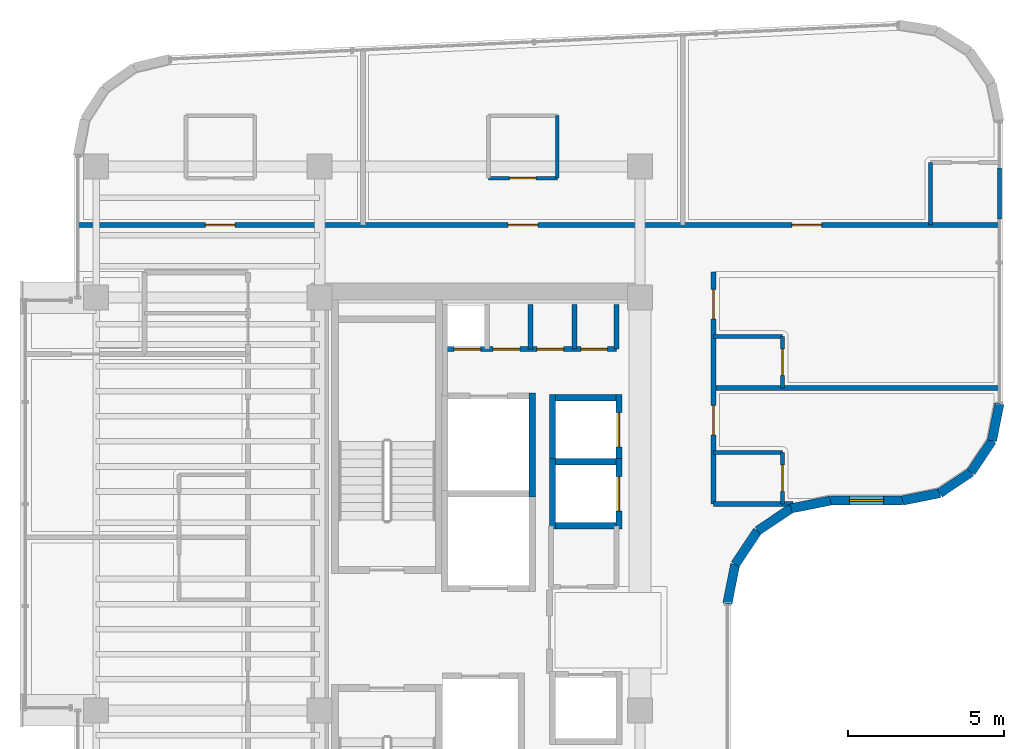
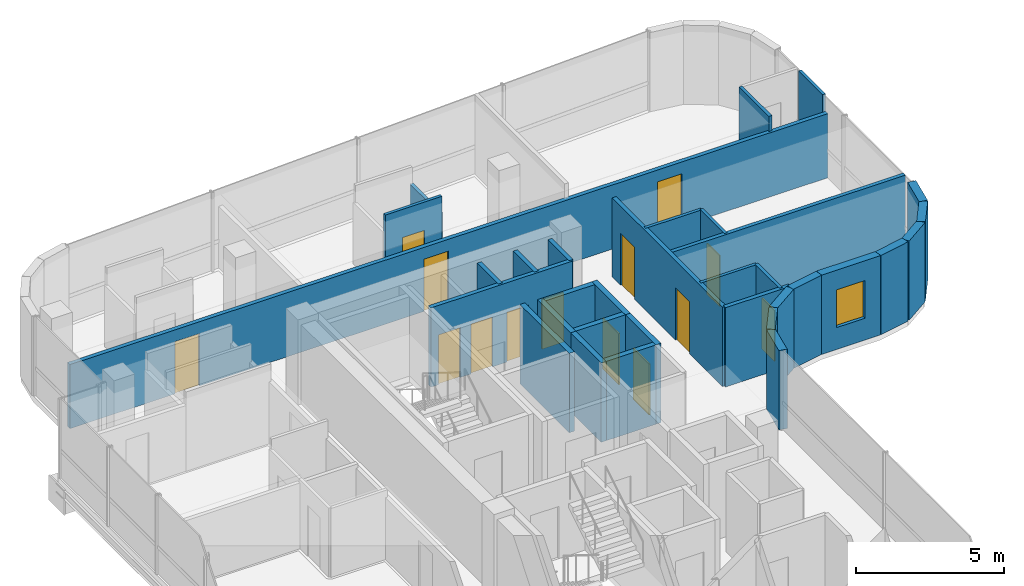
# One storey, part 16 of 20: 33 walls, 14 doors, 1 window, 15 openings.
"""IFC4 building model written with IfcOpenShell, lengths in metres."""

from ifc_helpers import new_model, si_unit, direction, frame, frame_2d, origin, place, context, subcontext, project, spatial, rectangle, extrude, material, layer, layer_set, type_object, element, fill, save


model = new_model("IFC4")

# Units and contexts
model_context = context("Model", 3, precision=1e-05, world=origin(), true_north=direction((0.0, 1.0)))
body_context = subcontext(model_context, "Body", "Model", "MODEL_VIEW")
ifc_project = project(units=[si_unit("LENGTHUNIT", "METRE"), si_unit("AREAUNIT", "SQUARE_METRE"), si_unit("VOLUMEUNIT", "CUBIC_METRE"), si_unit("PLANEANGLEUNIT", "RADIAN"), si_unit("MASSUNIT", "GRAM", prefix="KILO")], contexts=[model_context])

# Site, building, storey
site_placement = place(None, origin())
site = spatial("IfcSite", under=ifc_project, at=site_placement, CompositionType="ELEMENT")
building_placement = place(site_placement, origin())
building = spatial("IfcBuilding", under=site, at=building_placement, Name="Valdorenza Pilgrim Sanctuary Tower", CompositionType="ELEMENT")
storey_placement = place(building_placement, frame((0.0, 0.0, 244.0)))
storey = spatial("IfcBuildingStorey", under=building, at=storey_placement, Name="L63", CompositionType="ELEMENT", Elevation=244.0)

# Wall, openings, doors
ifc_material_1 = material(Name="Acoustic twin-stud gypsum partition", Category="gypsum")
ifc_layer_1 = layer(ifc_material_1, 0.159912109375, Name="Acoustic twin-stud gypsum partition")
ifc_layer_set_1 = layer_set([ifc_layer_1], Name="Acoustic twin-stud gypsum partition")
wall_type_1 = type_object("IfcWallType", Name="WAL-COR-160", PredefinedType="PARTITIONING", material=ifc_layer_set_1)
wall_1_placement = place(storey_placement, frame((-18.64990234375, 8.949951171875, 0.0), z_axis=(0.0, 0.0, 1.0), x_axis=(1.0, 0.0, 0.0)))
wall_1 = element("IfcWall", 1, at=wall_1_placement, inside=storey, type_object=wall_type_1, Name="L63 Core A North Service South Wall", PredefinedType="PARTITIONING", context=body_context, shape_type="SweptSolid", body=[
    extrude(rectangle(XDim=5.5, YDim=0.159912109375, at=frame_2d((2.75, 0.0))), origin(), (0.0, 0.0, 1.0), 3.260009765625),
])
opening_1_placement = place(wall_1_placement, frame((0.300048828125, 0.0, 0.0)))
opening_1 = element("IfcOpeningElement", 2, at=opening_1_placement, cuts=wall_1, Name="Opening DR-RS1", PredefinedType="OPENING", context=body_context, shape_type="SweptSolid", body=[
    extrude(rectangle(XDim=0.85009765625, YDim=2.050048828125, at=frame_2d((0.425048828125, 1.02490234375))), frame((0.0, 0.0947265625, 0.0), z_axis=(0.0, -1.0, 0.0), x_axis=(1.0, 0.0, 0.0)), (0.0, 0.0, 1.0), 0.189697265625),
])
opening_2_placement = place(wall_1_placement, frame((1.550048828125, 0.0, 0.0)))
opening_2 = element("IfcOpeningElement", 3, at=opening_2_placement, cuts=wall_1, Name="Opening DR-RS1", PredefinedType="OPENING", context=body_context, shape_type="SweptSolid", body=[
    extrude(rectangle(XDim=0.85009765625, YDim=2.050048828125, at=frame_2d((0.425048828125, 1.02490234375))), frame((0.0, 0.0947265625, 0.0), z_axis=(0.0, -1.0, 0.0), x_axis=(1.0, 0.0, 0.0)), (0.0, 0.0, 1.0), 0.189697265625),
])
opening_3_placement = place(wall_1_placement, frame((2.949951171875, 0.0, 0.0)))
opening_3 = element("IfcOpeningElement", 4, at=opening_3_placement, cuts=wall_1, Name="Opening DR-RS1", PredefinedType="OPENING", context=body_context, shape_type="SweptSolid", body=[
    extrude(rectangle(XDim=0.85009765625, YDim=2.050048828125, at=frame_2d((0.425048828125, 1.02490234375))), frame((0.0, 0.0947265625, 0.0), z_axis=(0.0, -1.0, 0.0), x_axis=(1.0, 0.0, 0.0)), (0.0, 0.0, 1.0), 0.189697265625),
])
opening_4_placement = place(wall_1_placement, frame((4.35009765625, 0.0, 0.0)))
opening_4 = element("IfcOpeningElement", 5, at=opening_4_placement, cuts=wall_1, Name="Opening DR-RS1", PredefinedType="OPENING", context=body_context, shape_type="SweptSolid", body=[
    extrude(rectangle(XDim=0.85009765625, YDim=2.050048828125, at=frame_2d((0.425048828125, 1.02490234375))), frame((0.0, 0.0947265625, 0.0), z_axis=(0.0, -1.0, 0.0), x_axis=(1.0, 0.0, 0.0)), (0.0, 0.0, 1.0), 0.189697265625),
])
ifc_material_2 = material(Name="Painted galvanized steel", Category="steel")
door_type_1 = type_object("IfcDoorType", Name="DR-RSR-850", OperationType="NOTDEFINED", PredefinedType="DOOR", material=ifc_material_2)
door_1_placement = place(opening_1_placement, origin())
door_1 = element("IfcDoor", 6, at=door_1_placement, inside=storey, type_object=door_type_1, Name="L63 Core Electrical and Telecom Riser Door", OperationType="SINGLE_SWING_LEFT", OverallHeight=2.050048828125, OverallWidth=0.85009765625, PredefinedType="DOOR", context=body_context, shape_type="SweptSolid", body=[
    extrude(rectangle(XDim=0.85009765625, YDim=2.050048828125, at=frame_2d((0.425048828125, 1.02490234375))), frame((0.0, 0.02490234375, 0.0), z_axis=(0.0, -1.0, 0.0), x_axis=(1.0, 0.0, 0.0)), (0.0, 0.0, 1.0), 0.050048828125),
])
fill(opening_1, door_1)
door_2_placement = place(opening_2_placement, origin())
door_2 = element("IfcDoor", 7, at=door_2_placement, inside=storey, type_object=door_type_1, Name="L63 Housekeeping and Clean Linen Room Door", OperationType="SINGLE_SWING_RIGHT", OverallHeight=2.050048828125, OverallWidth=0.85009765625, PredefinedType="DOOR", context=body_context, shape_type="SweptSolid", body=[
    extrude(rectangle(XDim=0.85009765625, YDim=2.050048828125, at=frame_2d((0.425048828125, 1.02490234375))), frame((0.0, 0.02490234375, 0.0), z_axis=(0.0, -1.0, 0.0), x_axis=(1.0, 0.0, 0.0)), (0.0, 0.0, 1.0), 0.050048828125),
])
fill(opening_2, door_2)
door_3_placement = place(opening_3_placement, origin())
door_3 = element("IfcDoor", 8, at=door_3_placement, inside=storey, type_object=door_type_1, Name="L63 Core IT Server Closet Door", OperationType="SINGLE_SWING_LEFT", OverallHeight=2.050048828125, OverallWidth=0.85009765625, PredefinedType="DOOR", context=body_context, shape_type="SweptSolid", body=[
    extrude(rectangle(XDim=0.85009765625, YDim=2.050048828125, at=frame_2d((0.425048828125, 1.02490234375))), frame((0.0, 0.02490234375, 0.0), z_axis=(0.0, -1.0, 0.0), x_axis=(1.0, 0.0, 0.0)), (0.0, 0.0, 1.0), 0.050048828125),
])
fill(opening_3, door_3)
door_4_placement = place(opening_4_placement, origin())
door_4 = element("IfcDoor", 9, at=door_4_placement, inside=storey, type_object=door_type_1, Name="L63 Core Staff Washroom Door", OperationType="SINGLE_SWING_RIGHT", OverallHeight=2.050048828125, OverallWidth=0.85009765625, PredefinedType="DOOR", context=body_context, shape_type="SweptSolid", body=[
    extrude(rectangle(XDim=0.85009765625, YDim=2.050048828125, at=frame_2d((0.425048828125, 1.02490234375))), frame((0.0, 0.02490234375, 0.0), z_axis=(0.0, -1.0, 0.0), x_axis=(1.0, 0.0, 0.0)), (0.0, 0.0, 1.0), 0.050048828125),
])
fill(opening_4, door_4)

# Walls
for number, where, z_axis, x_axis, name in (
    (10, (-13.14990234375, 8.949951171875, 0.0), (0.0, 0.0, 1.0), (0.0, 1.0, 0.0), "L63 Core A North Service East Wall"),
    (11, (-15.89990234375, 8.949951171875, 0.0), (0.0, 0.0, 1.0), (0.0, 1.0, 0.0), "L63 Core A Split D1"),
    (12, (-14.5, 8.949951171875, 0.0), (0.0, 0.0, 1.0), (0.0, 1.0, 0.0), "L63 Core A Split D2"),
):
    element("IfcWall", number, at=place(storey_placement, frame(where, z_axis=z_axis, x_axis=x_axis)), inside=storey, type_object=wall_type_1, Name=name, PredefinedType="PARTITIONING", context=body_context, shape_type="SweptSolid", body=[
        extrude(rectangle(XDim=1.429931640625, YDim=0.159912109375, at=frame_2d((0.71484375, 0.0))), origin(), (0.0, 0.0, 1.0), 3.260009765625),
    ])

# Wall, openings, doors
wall_2_placement = place(storey_placement, frame((-30.389892578125, 12.919921875, 0.0), z_axis=(0.0, 0.0, 1.0), x_axis=(1.0, 0.0, 0.0)))
wall_2 = element("IfcWall", 13, at=wall_2_placement, inside=storey, type_object=wall_type_1, Name="L63 North Corridor Wall", PredefinedType="PARTITIONING", context=body_context, shape_type="SweptSolid", body=[
    extrude(rectangle(XDim=29.47998046875, YDim=0.159912109375, at=frame_2d((14.739990234375, 0.0))), origin(), (0.0, 0.0, 1.0), 2.634033203125),
])
opening_5_placement = place(wall_2_placement, frame((4.0869140625, 0.0, 0.0)))
opening_5 = element("IfcOpeningElement", 14, at=opening_5_placement, cuts=wall_2, Name="Opening DR-UN1", PredefinedType="OPENING", context=body_context, shape_type="SweptSolid", body=[
    extrude(rectangle(XDim=0.949951171875, YDim=2.14990234375, at=frame_2d((0.47509765625, 1.074951171875))), frame((0.0, 0.0947265625, 0.0), z_axis=(0.0, -1.0, 0.0), x_axis=(1.0, 0.0, 0.0)), (0.0, 0.0, 1.0), 0.189697265625),
])
opening_6_placement = place(wall_2_placement, frame((13.764892578125, 0.0, 0.0)))
opening_6 = element("IfcOpeningElement", 15, at=opening_6_placement, cuts=wall_2, Name="Opening DR-UN1", PredefinedType="OPENING", context=body_context, shape_type="SweptSolid", body=[
    extrude(rectangle(XDim=0.949951171875, YDim=2.14990234375, at=frame_2d((0.47509765625, 1.074951171875))), frame((0.0, 0.0947265625, 0.0), z_axis=(0.0, -1.0, 0.0), x_axis=(1.0, 0.0, 0.0)), (0.0, 0.0, 1.0), 0.189697265625),
])
opening_7_placement = place(wall_2_placement, frame((22.843017578125, 0.0, 0.0)))
opening_7 = element("IfcOpeningElement", 16, at=opening_7_placement, cuts=wall_2, Name="Opening DR-UN1", PredefinedType="OPENING", context=body_context, shape_type="SweptSolid", body=[
    extrude(rectangle(XDim=0.949951171875, YDim=2.14990234375, at=frame_2d((0.47509765625, 1.074951171875))), frame((0.0, 0.0947265625, 0.0), z_axis=(0.0, -1.0, 0.0), x_axis=(1.0, 0.0, 0.0)), (0.0, 0.0, 1.0), 0.189697265625),
])
ifc_material_3 = material(Name="Solid-core European oak timber", Category="wood")
door_type_2 = type_object("IfcDoorType", Name="DR-UNIT-950", OperationType="NOTDEFINED", PredefinedType="DOOR", material=ifc_material_3)
door_5_placement = place(opening_5_placement, frame((0.949951171875, 0.0, 0.0), z_axis=(0.0, 0.0, 1.0), x_axis=(-1.0, 0.0, 0.0)))
door_5 = element("IfcDoor", 17, at=door_5_placement, inside=storey, type_object=door_type_2, Name="L63 North Guest Room L63-N1 Entrance Door", OperationType="SINGLE_SWING_LEFT", OverallHeight=2.14990234375, OverallWidth=0.949951171875, PredefinedType="DOOR", context=body_context, shape_type="SweptSolid", body=[
    extrude(rectangle(XDim=0.949951171875, YDim=2.14990234375, at=frame_2d((0.47509765625, 1.074951171875))), frame((0.0, 0.02490234375, 0.0), z_axis=(0.0, -1.0, 0.0), x_axis=(1.0, 0.0, 0.0)), (0.0, 0.0, 1.0), 0.050048828125),
])
fill(opening_5, door_5)
door_6_placement = place(opening_6_placement, frame((0.949951171875, 0.0, 0.0), z_axis=(0.0, 0.0, 1.0), x_axis=(-1.0, 0.0, 0.0)))
door_6 = element("IfcDoor", 18, at=door_6_placement, inside=storey, type_object=door_type_2, Name="L63 North Guest Room L63-N2 Entrance Door", OperationType="SINGLE_SWING_LEFT", OverallHeight=2.14990234375, OverallWidth=0.949951171875, PredefinedType="DOOR", context=body_context, shape_type="SweptSolid", body=[
    extrude(rectangle(XDim=0.949951171875, YDim=2.14990234375, at=frame_2d((0.47509765625, 1.074951171875))), frame((0.0, 0.02490234375, 0.0), z_axis=(0.0, -1.0, 0.0), x_axis=(1.0, 0.0, 0.0)), (0.0, 0.0, 1.0), 0.050048828125),
])
fill(opening_6, door_6)
door_7_placement = place(opening_7_placement, frame((0.949951171875, 0.0, 0.0), z_axis=(0.0, 0.0, 1.0), x_axis=(-1.0, 0.0, 0.0)))
door_7 = element("IfcDoor", 19, at=door_7_placement, inside=storey, type_object=door_type_2, Name="L63 North Guest Room L63-N3 Entrance Door", OperationType="SINGLE_SWING_LEFT", OverallHeight=2.14990234375, OverallWidth=0.949951171875, PredefinedType="DOOR", context=body_context, shape_type="SweptSolid", body=[
    extrude(rectangle(XDim=0.949951171875, YDim=2.14990234375, at=frame_2d((0.47509765625, 1.074951171875))), frame((0.0, 0.02490234375, 0.0), z_axis=(0.0, -1.0, 0.0), x_axis=(1.0, 0.0, 0.0)), (0.0, 0.0, 1.0), 0.050048828125),
])
fill(opening_7, door_7)

wall_3_placement = place(storey_placement, frame((-10.050048828125, 4.0, 0.0), z_axis=(0.0, 0.0, 1.0), x_axis=(0.0, 1.0, 0.0)))
wall_3 = element("IfcWall", 20, at=wall_3_placement, inside=storey, type_object=wall_type_1, Name="L63 East Stub Corridor Wall", PredefinedType="PARTITIONING", context=body_context, shape_type="SweptSolid", body=[
    extrude(rectangle(XDim=7.419921875, YDim=0.159912109375, at=frame_2d((3.7099609375, 0.0))), origin(), (0.0, 0.0, 1.0), 3.260009765625),
])
opening_8_placement = place(wall_3_placement, frame((2.205078125, 0.0, 0.0)))
opening_8 = element("IfcOpeningElement", 21, at=opening_8_placement, cuts=wall_3, Name="Opening DR-UN1", PredefinedType="OPENING", context=body_context, shape_type="SweptSolid", body=[
    extrude(rectangle(XDim=0.949951171875, YDim=2.14990234375, at=frame_2d((0.47509765625, 1.074951171875))), frame((0.0, 0.0947265625, 0.0), z_axis=(0.0, -1.0, 0.0), x_axis=(1.0, 0.0, 0.0)), (0.0, 0.0, 1.0), 0.189697265625),
])
opening_9_placement = place(wall_3_placement, frame((5.9150390625, 0.0, 0.0)))
opening_9 = element("IfcOpeningElement", 22, at=opening_9_placement, cuts=wall_3, Name="Opening DR-UN1", PredefinedType="OPENING", context=body_context, shape_type="SweptSolid", body=[
    extrude(rectangle(XDim=0.949951171875, YDim=2.14990234375, at=frame_2d((0.47509765625, 1.074951171875))), frame((0.0, 0.0947265625, 0.0), z_axis=(0.0, -1.0, 0.0), x_axis=(1.0, 0.0, 0.0)), (0.0, 0.0, 1.0), 0.189697265625),
])
door_8_placement = place(opening_8_placement, frame((0.949951171875, 0.0, 0.0), z_axis=(0.0, 0.0, 1.0), x_axis=(-1.0, 0.0, 0.0)))
door_8 = element("IfcDoor", 23, at=door_8_placement, inside=storey, type_object=door_type_2, Name="L63 East Sanctuary Guest Room L63-E1 Entrance Door", OperationType="SINGLE_SWING_LEFT", OverallHeight=2.14990234375, OverallWidth=0.949951171875, PredefinedType="DOOR", context=body_context, shape_type="SweptSolid", body=[
    extrude(rectangle(XDim=0.949951171875, YDim=2.14990234375, at=frame_2d((0.47509765625, 1.074951171875))), frame((0.0, 0.02490234375, 0.0), z_axis=(0.0, -1.0, 0.0), x_axis=(1.0, 0.0, 0.0)), (0.0, 0.0, 1.0), 0.050048828125),
])
fill(opening_8, door_8)
door_9_placement = place(opening_9_placement, frame((0.949951171875, 0.0, 0.0), z_axis=(0.0, 0.0, 1.0), x_axis=(-1.0, 0.0, 0.0)))
door_9 = element("IfcDoor", 24, at=door_9_placement, inside=storey, type_object=door_type_2, Name="L63 East Sanctuary Guest Room L63-E2 Entrance Door", OperationType="SINGLE_SWING_LEFT", OverallHeight=2.14990234375, OverallWidth=0.949951171875, PredefinedType="DOOR", context=body_context, shape_type="SweptSolid", body=[
    extrude(rectangle(XDim=0.949951171875, YDim=2.14990234375, at=frame_2d((0.47509765625, 1.074951171875))), frame((0.0, 0.02490234375, 0.0), z_axis=(0.0, -1.0, 0.0), x_axis=(1.0, 0.0, 0.0)), (0.0, 0.0, 1.0), 0.050048828125),
])
fill(opening_9, door_9)

# Walls
wall_4_placement = place(storey_placement, frame((-10.050048828125, 4.0, 0.0), z_axis=(0.0, 0.0, 1.0), x_axis=(1.0, 0.0, 0.0)))
element("IfcWall", 25, at=wall_4_placement, inside=storey, type_object=wall_type_1, Name="L63 East Stub South Wall", PredefinedType="PARTITIONING", context=body_context, shape_type="SweptSolid", body=[
    extrude(rectangle(XDim=2.545654296875, YDim=0.159912109375, at=frame_2d((1.27294921875, 0.0))), origin(), (0.0, 0.0, 1.0), 3.260009765625),
])
ifc_material_4 = material(Name="Honed travertine limestone", Category="masonry")
ifc_layer_2 = layer(ifc_material_4, 0.300048828125, Name="Honed travertine limestone")
ifc_layer_set_2 = layer_set([ifc_layer_2], Name="Honed travertine limestone")
wall_type_2 = type_object("IfcWallType", Name="WAL-EXT-300", PredefinedType="SOLIDWALL", material=ifc_layer_set_2)
wall_5_placement = place(storey_placement, frame((-0.909912109375, 7.210693359375, 0.0), z_axis=(0.0, 0.0, 1.0), x_axis=(-0.195189223115, -0.980765602568, 0.0)))
element("IfcWall", 26, at=wall_5_placement, inside=storey, type_object=wall_type_2, Name="L63 Rounded Wind-Corner Stone Pier 12", PredefinedType="SOLIDWALL", context=body_context, shape_type="SweptSolid", body=[
    extrude(rectangle(XDim=1.2158203125, YDim=0.300048828125, at=frame_2d((0.60791015625, 0.0))), origin(), (0.0, 0.0, 1.0), 3.260009765625),
])
for number, where, z_axis, x_axis, name in (
    (27, (-1.147216796875, 6.018310546875, 0.0), (0.0, 0.0, 1.0), (-0.555635100982, -0.831426265255, 0.0), "L63 Rounded Wind-Corner Stone Pier 13"),
    (28, (-1.816650390625, 5.0166015625, 0.0), (0.0, 0.0, 1.0), (-0.831426265255, -0.555635100982, 0.0), "L63 Rounded Wind-Corner Stone Pier 14"),
):
    element("IfcWall", number, at=place(storey_placement, frame(where, z_axis=z_axis, x_axis=x_axis)), inside=storey, type_object=wall_type_2, Name=name, PredefinedType="SOLIDWALL", context=body_context, shape_type="SweptSolid", body=[
        extrude(rectangle(XDim=1.204833984375, YDim=0.300048828125, at=frame_2d((0.6025390625, 0.0))), origin(), (0.0, 0.0, 1.0), 3.260009765625),
    ])
wall_6_placement = place(storey_placement, frame((-2.818359375, 4.34716796875, 0.0), z_axis=(0.0, 0.0, 1.0), x_axis=(-0.980804027463, -0.194996050505, 0.0)))
element("IfcWall", 29, at=wall_6_placement, inside=storey, type_object=wall_type_2, Name="L63 Rounded Wind-Corner Stone Pier 15", PredefinedType="SOLIDWALL", context=body_context, shape_type="SweptSolid", body=[
    extrude(rectangle(XDim=1.2158203125, YDim=0.300048828125, at=frame_2d((0.60791015625, 0.0))), origin(), (0.0, 0.0, 1.0), 3.260009765625),
])

# Wall, opening, window
wall_7_placement = place(storey_placement, frame((-4.0107421875, 4.110107421875, 0.0), z_axis=(0.0, 0.0, 1.0), x_axis=(-1.0, 0.0, 0.0)))
wall_7 = element("IfcWall", 30, at=wall_7_placement, inside=storey, type_object=wall_type_2, Name="L63 Rounded Wind-Corner Stone Pier 16", PredefinedType="SOLIDWALL", context=body_context, shape_type="SweptSolid", body=[
    extrude(rectangle(XDim=2.300048828125, YDim=0.300048828125, at=frame_2d((1.14990234375, 0.0))), origin(), (0.0, 0.0, 1.0), 3.260009765625),
])
opening_10_placement = place(wall_7_placement, frame((0.60009765625, 0.0, 0.89990234375)))
opening_10 = element("IfcOpeningElement", 31, at=opening_10_placement, cuts=wall_7, Name="Opening WN-CR1", PredefinedType="OPENING", context=body_context, shape_type="SweptSolid", body=[
    extrude(rectangle(XDim=1.10009765625, YDim=1.550048828125, at=frame_2d((0.550048828125, 0.77490234375))), frame((0.0, 0.1650390625, 0.0), z_axis=(0.0, -1.0, 0.0), x_axis=(1.0, 0.0, 0.0)), (0.0, 0.0, 1.0), 0.329833984375),
])
ifc_material_5 = material(Name="Ceramic-fritted low-E IGU glazing", Category="glass")
window_type = type_object("IfcWindowType", Name="WIN-CRN-1200", PartitioningType="SINGLE_PANEL", PredefinedType="WINDOW", material=ifc_material_5)
window_placement = place(opening_10_placement, origin())
window = element("IfcWindow", 32, at=window_placement, inside=storey, type_object=window_type, Name="L63 Rounded Corner Slot Window 16", OverallHeight=1.550048828125, OverallWidth=1.10009765625, PartitioningType="SINGLE_PANEL", PredefinedType="WINDOW", context=body_context, shape_type="SweptSolid", body=[
    extrude(rectangle(XDim=1.10009765625, YDim=1.550048828125, at=frame_2d((0.550048828125, 0.77490234375))), frame((0.0, 0.030029296875, 0.0), z_axis=(0.0, -1.0, 0.0), x_axis=(1.0, 0.0, 0.0)), (0.0, 0.0, 1.0), 0.06005859375),
])
fill(opening_10, window)

# Walls
wall_8_placement = place(storey_placement, frame((-6.310791015625, 4.110107421875, 0.0), z_axis=(0.0, 0.0, 1.0), x_axis=(-0.980778058848, -0.195126623715, 0.0)))
element("IfcWall", 33, at=wall_8_placement, inside=storey, type_object=wall_type_2, Name="L63 Rounded Wind-Corner Stone Pier 17", PredefinedType="SOLIDWALL", context=body_context, shape_type="SweptSolid", body=[
    extrude(rectangle(XDim=1.28125, YDim=0.300048828125, at=frame_2d((0.640625, 0.0))), origin(), (0.0, 0.0, 1.0), 3.260009765625),
])
for number, where, z_axis, x_axis, name in (
    (34, (-7.5673828125, 3.860107421875, 0.0), (0.0, 0.0, 1.0), (-0.831497739511, -0.555528135371, 0.0), "L63 Rounded Wind-Corner Stone Pier 18"),
    (35, (-8.64208984375, 3.14208984375, 0.0), (0.0, 0.0, 1.0), (-0.555528135371, -0.831497739511, 0.0), "L63 Rounded Wind-Corner Stone Pier 19"),
):
    element("IfcWall", number, at=place(storey_placement, frame(where, z_axis=z_axis, x_axis=x_axis)), inside=storey, type_object=wall_type_2, Name=name, PredefinedType="SOLIDWALL", context=body_context, shape_type="SweptSolid", body=[
        extrude(rectangle(XDim=1.29248046875, YDim=0.300048828125, at=frame_2d((0.646240234375, 0.0))), origin(), (0.0, 0.0, 1.0), 3.260009765625),
    ])
wall_9_placement = place(storey_placement, frame((-9.360107421875, 2.0673828125, 0.0), z_axis=(0.0, 0.0, 1.0), x_axis=(-0.195126623715, -0.980778058848, 0.0)))
element("IfcWall", 36, at=wall_9_placement, inside=storey, type_object=wall_type_2, Name="L63 Rounded Wind-Corner Stone Pier 20", PredefinedType="SOLIDWALL", context=body_context, shape_type="SweptSolid", body=[
    extrude(rectangle(XDim=1.28125, YDim=0.300048828125, at=frame_2d((0.640625, 0.0))), origin(), (0.0, 0.0, 1.0), 3.260009765625),
])
ifc_material_6 = material(Name="Moisture-resistant gypsum partition", Category="gypsum")
ifc_layer_3 = layer(ifc_material_6, 0.1201171875, Name="Moisture-resistant gypsum partition")
ifc_layer_set_3 = layer_set([ifc_layer_3], Name="Moisture-resistant gypsum partition")
wall_type_3 = type_object("IfcWallType", Name="WAL-INT-120", PredefinedType="PARTITIONING", material=ifc_layer_set_3)
wall_10_placement = place(storey_placement, frame((-15.050048828125, 14.419921875, 0.0), z_axis=(0.0, 0.0, 1.0), x_axis=(0.0, 1.0, 0.0)))
element("IfcWall", 37, at=wall_10_placement, inside=storey, type_object=wall_type_3, Name="L63 North Guest Room L63-N2 En-suite East Wall", PredefinedType="PARTITIONING", context=body_context, shape_type="SweptSolid", body=[
    extrude(rectangle(XDim=2.0, YDim=0.1201171875, at=frame_2d((1.0, 0.0))), origin(), (0.0, 0.0, 1.0), 2.5439453125),
])

# Wall, opening, door
wall_11_placement = place(storey_placement, frame((-17.25, 14.419921875, 0.0), z_axis=(0.0, 0.0, 1.0), x_axis=(1.0, 0.0, 0.0)))
wall_11 = element("IfcWall", 38, at=wall_11_placement, inside=storey, type_object=wall_type_3, Name="L63 North Guest Room L63-N2 En-suite Door Wall", PredefinedType="PARTITIONING", context=body_context, shape_type="SweptSolid", body=[
    extrude(rectangle(XDim=2.199951171875, YDim=0.1201171875, at=frame_2d((1.10009765625, 0.0))), origin(), (0.0, 0.0, 1.0), 3.260009765625),
])
opening_11_placement = place(wall_11_placement, frame((0.675048828125, 0.0, 0.0)))
opening_11 = element("IfcOpeningElement", 39, at=opening_11_placement, cuts=wall_11, Name="Opening DR-WC1", PredefinedType="OPENING", context=body_context, shape_type="SweptSolid", body=[
    extrude(rectangle(XDim=0.85009765625, YDim=2.10009765625, at=frame_2d((0.425048828125, 1.050048828125))), frame((0.0, 0.074951171875, 0.0), z_axis=(0.0, -1.0, 0.0), x_axis=(1.0, 0.0, 0.0)), (0.0, 0.0, 1.0), 0.14990234375),
])
ifc_material_7 = material(Name="Moisture-resistant lacquered timber", Category="wood")
door_type_3 = type_object("IfcDoorType", Name="DR-BATH-850", OperationType="NOTDEFINED", PredefinedType="DOOR", material=ifc_material_7)
door_10_placement = place(opening_11_placement, origin())
door_10 = element("IfcDoor", 40, at=door_10_placement, inside=storey, type_object=door_type_3, Name="L63 North Guest Room L63-N2 En-suite Bathroom Door", OperationType="SINGLE_SWING_RIGHT", OverallHeight=2.10009765625, OverallWidth=0.85009765625, PredefinedType="DOOR", context=body_context, shape_type="SweptSolid", body=[
    extrude(rectangle(XDim=0.85009765625, YDim=2.10009765625, at=frame_2d((0.425048828125, 1.050048828125))), frame((0.0, 0.02490234375, 0.0), z_axis=(0.0, -1.0, 0.0), x_axis=(1.0, 0.0, 0.0)), (0.0, 0.0, 1.0), 0.050048828125),
])
fill(opening_11, door_10)

# Walls
wall_12_placement = place(storey_placement, frame((-3.110107421875, 12.919921875, 0.0), z_axis=(0.0, 0.0, 1.0), x_axis=(0.0, 1.0, 0.0)))
element("IfcWall", 41, at=wall_12_placement, inside=storey, type_object=wall_type_3, Name="L63 North Guest Room L63-N3 En-suite West Wall", PredefinedType="PARTITIONING", context=body_context, shape_type="SweptSolid", body=[
    extrude(rectangle(XDim=2.0, YDim=0.1201171875, at=frame_2d((1.0, 0.0))), origin(), (0.0, 0.0, 1.0), 3.260009765625),
])
wall_13_placement = place(storey_placement, frame((-0.909912109375, 13.1201171875, 0.0), z_axis=(0.0, 0.0, 1.0), x_axis=(0.0, 1.0, 0.0)))
element("IfcWall", 42, at=wall_13_placement, inside=storey, type_object=wall_type_3, Name="L63 NW-G3-ENS Enclosure Wall E", PredefinedType="PARTITIONING", context=body_context, shape_type="SweptSolid", body=[
    extrude(rectangle(XDim=1.619873046875, YDim=0.1201171875, at=frame_2d((0.81005859375, 0.0))), origin(), (0.0, 0.0, 1.0), 3.260009765625),
])
wall_14_placement = place(storey_placement, frame((-10.050048828125, 5.64990234375, 0.0), z_axis=(0.0, 0.0, 1.0), x_axis=(1.0, 0.0, 0.0)))
element("IfcWall", 43, at=wall_14_placement, inside=storey, type_object=wall_type_3, Name="L63 East Sanctuary Guest Room L63-E1 En-suite North Wall", PredefinedType="PARTITIONING", context=body_context, shape_type="SweptSolid", body=[
    extrude(rectangle(XDim=2.199951171875, YDim=0.1201171875, at=frame_2d((1.10009765625, 0.0))), origin(), (0.0, 0.0, 1.0), 3.260009765625),
])

# Wall, opening, door
wall_15_placement = place(storey_placement, frame((-7.85009765625, 4.0, 0.0), z_axis=(0.0, 0.0, 1.0), x_axis=(0.0, 1.0, 0.0)))
wall_15 = element("IfcWall", 44, at=wall_15_placement, inside=storey, type_object=wall_type_3, Name="L63 East Sanctuary Guest Room L63-E1 En-suite Door Wall", PredefinedType="PARTITIONING", context=body_context, shape_type="SweptSolid", body=[
    extrude(rectangle(XDim=1.64990234375, YDim=0.1201171875, at=frame_2d((0.824951171875, 0.0))), origin(), (0.0, 0.0, 1.0), 3.260009765625),
])
opening_12_placement = place(wall_15_placement, frame((0.39990234375, 0.0, 0.0)))
opening_12 = element("IfcOpeningElement", 45, at=opening_12_placement, cuts=wall_15, Name="Opening DR-WC1", PredefinedType="OPENING", context=body_context, shape_type="SweptSolid", body=[
    extrude(rectangle(XDim=0.85009765625, YDim=2.10009765625, at=frame_2d((0.425048828125, 1.050048828125))), frame((0.0, 0.074951171875, 0.0), z_axis=(0.0, -1.0, 0.0), x_axis=(1.0, 0.0, 0.0)), (0.0, 0.0, 1.0), 0.14990234375),
])
door_11_placement = place(opening_12_placement, origin())
door_11 = element("IfcDoor", 46, at=door_11_placement, inside=storey, type_object=door_type_3, Name="L63 East Sanctuary Guest Room L63-E1 En-suite Bathroom Door", OperationType="SINGLE_SWING_RIGHT", OverallHeight=2.10009765625, OverallWidth=0.85009765625, PredefinedType="DOOR", context=body_context, shape_type="SweptSolid", body=[
    extrude(rectangle(XDim=0.85009765625, YDim=2.10009765625, at=frame_2d((0.425048828125, 1.050048828125))), frame((0.0, 0.02490234375, 0.0), z_axis=(0.0, -1.0, 0.0), x_axis=(1.0, 0.0, 0.0)), (0.0, 0.0, 1.0), 0.050048828125),
])
fill(opening_12, door_11)

# Wall
wall_16_placement = place(storey_placement, frame((-10.050048828125, 9.360107421875, 0.0), z_axis=(0.0, 0.0, 1.0), x_axis=(1.0, 0.0, 0.0)))
element("IfcWall", 47, at=wall_16_placement, inside=storey, type_object=wall_type_3, Name="L63 East Sanctuary Guest Room L63-E2 En-suite North Wall", PredefinedType="PARTITIONING", context=body_context, shape_type="SweptSolid", body=[
    extrude(rectangle(XDim=2.199951171875, YDim=0.1201171875, at=frame_2d((1.10009765625, 0.0))), origin(), (0.0, 0.0, 1.0), 3.260009765625),
])

# Wall, opening, door
wall_17_placement = place(storey_placement, frame((-7.85009765625, 7.7099609375, 0.0), z_axis=(0.0, 0.0, 1.0), x_axis=(0.0, 1.0, 0.0)))
wall_17 = element("IfcWall", 48, at=wall_17_placement, inside=storey, type_object=wall_type_3, Name="L63 East Sanctuary Guest Room L63-E2 En-suite Door Wall", PredefinedType="PARTITIONING", context=body_context, shape_type="SweptSolid", body=[
    extrude(rectangle(XDim=1.650146484375, YDim=0.1201171875, at=frame_2d((0.8251953125, 0.0))), origin(), (0.0, 0.0, 1.0), 3.260009765625),
])
opening_13_placement = place(wall_17_placement, frame((0.39990234375, 0.0, 0.0)))
opening_13 = element("IfcOpeningElement", 49, at=opening_13_placement, cuts=wall_17, Name="Opening DR-WC1", PredefinedType="OPENING", context=body_context, shape_type="SweptSolid", body=[
    extrude(rectangle(XDim=0.85009765625, YDim=2.10009765625, at=frame_2d((0.425048828125, 1.050048828125))), frame((0.0, 0.074951171875, 0.0), z_axis=(0.0, -1.0, 0.0), x_axis=(1.0, 0.0, 0.0)), (0.0, 0.0, 1.0), 0.14990234375),
])
door_12_placement = place(opening_13_placement, origin())
door_12 = element("IfcDoor", 50, at=door_12_placement, inside=storey, type_object=door_type_3, Name="L63 East Sanctuary Guest Room L63-E2 En-suite Bathroom Door", OperationType="SINGLE_SWING_RIGHT", OverallHeight=2.10009765625, OverallWidth=0.85009765625, PredefinedType="DOOR", context=body_context, shape_type="SweptSolid", body=[
    extrude(rectangle(XDim=0.85009765625, YDim=2.10009765625, at=frame_2d((0.425048828125, 1.050048828125))), frame((0.0, 0.02490234375, 0.0), z_axis=(0.0, -1.0, 0.0), x_axis=(1.0, 0.0, 0.0)), (0.0, 0.0, 1.0), 0.050048828125),
])
fill(opening_13, door_12)

# Walls
ifc_material_8 = material(Name="Autoclaved aerated concrete blockwork", Category="masonry")
ifc_layer_4 = layer(ifc_material_8, 0.199951171875, Name="Autoclaved aerated concrete blockwork")
ifc_layer_set_4 = layer_set([ifc_layer_4], Name="Autoclaved aerated concrete blockwork")
wall_type_4 = type_object("IfcWallType", Name="WAL-SHF-200", PredefinedType="MOVABLE", material=ifc_layer_set_4)
wall_18_placement = place(storey_placement, frame((-15.85009765625, 4.22509765625, 0.0), z_axis=(0.0, 0.0, 1.0), x_axis=(0.0, 1.0, 0.0)))
element("IfcWall", 51, at=wall_18_placement, inside=storey, type_object=wall_type_4, Name="L63 Lift SVL-01 Hoistway Wall East", PredefinedType="MOVABLE", context=body_context, shape_type="SweptSolid", body=[
    extrude(rectangle(XDim=3.324951171875, YDim=0.199951171875, at=frame_2d((1.66259765625, 0.0))), origin(), (0.0, 0.0, 1.0), 3.260009765625),
])
wall_19_placement = place(storey_placement, frame((-15.199951171875, 3.199951171875, 0.0), z_axis=(0.0, 0.0, 1.0), x_axis=(0.0, 1.0, 0.0)))
element("IfcWall", 52, at=wall_19_placement, inside=storey, type_object=wall_type_4, Name="L63 Lift PL-09 Hoistway Wall West", PredefinedType="MOVABLE", context=body_context, shape_type="SweptSolid", body=[
    extrude(rectangle(XDim=2.25, YDim=0.199951171875, at=frame_2d((1.125, 0.0))), origin(), (0.0, 0.0, 1.0), 3.260009765625),
])

# Wall, opening, door
wall_20_placement = place(storey_placement, frame((-13.080078125, 3.199951171875, 0.0), z_axis=(0.0, 0.0, 1.0), x_axis=(0.0, 1.0, 0.0)))
wall_20 = element("IfcWall", 53, at=wall_20_placement, inside=storey, type_object=wall_type_4, Name="L63 Lift PL-09 Hoistway Wall East", PredefinedType="MOVABLE", context=body_context, shape_type="SweptSolid", body=[
    extrude(rectangle(XDim=2.25, YDim=0.199951171875, at=frame_2d((1.125, 0.0))), origin(), (0.0, 0.0, 1.0), 3.260009765625),
])
opening_14_placement = place(wall_20_placement, frame((0.574951171875, 0.0, 0.0)))
opening_14 = element("IfcOpeningElement", 54, at=opening_14_placement, cuts=wall_20, Name="Opening LD-01", PredefinedType="OPENING", context=body_context, shape_type="SweptSolid", body=[
    extrude(rectangle(XDim=1.10009765625, YDim=2.10009765625, at=frame_2d((0.550048828125, 1.050048828125))), frame((0.0, 0.11474609375, 0.0), z_axis=(0.0, -1.0, 0.0), x_axis=(1.0, 0.0, 0.0)), (0.0, 0.0, 1.0), 0.229736328125),
])
ifc_material_9 = material(Name="Brushed stainless steel Grade 316", Category="steel")
door_type_4 = type_object("IfcDoorType", Name="DR-LFT-1100", OperationType="DOUBLE_DOOR_SLIDING", PredefinedType="DOOR", material=ifc_material_9)
door_13_placement = place(opening_14_placement, origin())
door_13 = element("IfcDoor", 55, at=door_13_placement, inside=storey, type_object=door_type_4, Name="L63 Lift PL-09 Sliding Landing Door", OperationType="DOUBLE_DOOR_SLIDING", OverallHeight=2.10009765625, OverallWidth=1.10009765625, PredefinedType="DOOR", context=body_context, shape_type="SweptSolid", body=[
    extrude(rectangle(XDim=1.10009765625, YDim=2.10009765625, at=frame_2d((0.550048828125, 1.050048828125))), frame((0.0, 0.02490234375, 0.0), z_axis=(0.0, -1.0, 0.0), x_axis=(1.0, 0.0, 0.0)), (0.0, 0.0, 1.0), 0.050048828125),
])
fill(opening_14, door_13)

# Walls
for number, where, z_axis, x_axis, name in (
    (56, (-15.10009765625, 3.300048828125, 0.0), (0.0, 0.0, 1.0), (1.0, 0.0, 0.0), "L63 Lift PL-09 Hoistway Wall South"),
    (57, (-15.10009765625, 5.35009765625, 0.0), (0.0, 0.0, 1.0), (1.0, 0.0, 0.0), "L63 Lift PL-09 Hoistway Wall North"),
):
    element("IfcWall", number, at=place(storey_placement, frame(where, z_axis=z_axis, x_axis=x_axis)), inside=storey, type_object=wall_type_4, Name=name, PredefinedType="MOVABLE", context=body_context, shape_type="SweptSolid", body=[
        extrude(rectangle(XDim=1.920166015625, YDim=0.199951171875, at=frame_2d((0.9599609375, 0.0))), origin(), (0.0, 0.0, 1.0), 3.260009765625),
    ])
wall_21_placement = place(storey_placement, frame((-15.199951171875, 5.25, 0.0), z_axis=(0.0, 0.0, 1.0), x_axis=(0.0, 1.0, 0.0)))
element("IfcWall", 58, at=wall_21_placement, inside=storey, type_object=wall_type_4, Name="L63 Lift PL-10 Hoistway Wall West", PredefinedType="MOVABLE", context=body_context, shape_type="SweptSolid", body=[
    extrude(rectangle(XDim=2.25, YDim=0.199951171875, at=frame_2d((1.125, 0.0))), origin(), (0.0, 0.0, 1.0), 3.260009765625),
])

# Wall, opening, door
wall_22_placement = place(storey_placement, frame((-13.080078125, 5.25, 0.0), z_axis=(0.0, 0.0, 1.0), x_axis=(0.0, 1.0, 0.0)))
wall_22 = element("IfcWall", 59, at=wall_22_placement, inside=storey, type_object=wall_type_4, Name="L63 Lift PL-10 Hoistway Wall East", PredefinedType="MOVABLE", context=body_context, shape_type="SweptSolid", body=[
    extrude(rectangle(XDim=2.25, YDim=0.199951171875, at=frame_2d((1.125, 0.0))), origin(), (0.0, 0.0, 1.0), 3.260009765625),
])
opening_15_placement = place(wall_22_placement, frame((0.574951171875, 0.0, 0.0)))
opening_15 = element("IfcOpeningElement", 60, at=opening_15_placement, cuts=wall_22, Name="Opening LD-01", PredefinedType="OPENING", context=body_context, shape_type="SweptSolid", body=[
    extrude(rectangle(XDim=1.10009765625, YDim=2.10009765625, at=frame_2d((0.550048828125, 1.050048828125))), frame((0.0, 0.11474609375, 0.0), z_axis=(0.0, -1.0, 0.0), x_axis=(1.0, 0.0, 0.0)), (0.0, 0.0, 1.0), 0.229736328125),
])
door_14_placement = place(opening_15_placement, origin())
door_14 = element("IfcDoor", 61, at=door_14_placement, inside=storey, type_object=door_type_4, Name="L63 Lift PL-10 Sliding Landing Door", OperationType="DOUBLE_DOOR_SLIDING", OverallHeight=2.10009765625, OverallWidth=1.10009765625, PredefinedType="DOOR", context=body_context, shape_type="SweptSolid", body=[
    extrude(rectangle(XDim=1.10009765625, YDim=2.10009765625, at=frame_2d((0.550048828125, 1.050048828125))), frame((0.0, 0.02490234375, 0.0), z_axis=(0.0, -1.0, 0.0), x_axis=(1.0, 0.0, 0.0)), (0.0, 0.0, 1.0), 0.050048828125),
])
fill(opening_15, door_14)

# Walls
wall_23_placement = place(storey_placement, frame((-15.10009765625, 7.39990234375, 0.0), z_axis=(0.0, 0.0, 1.0), x_axis=(1.0, 0.0, 0.0)))
element("IfcWall", 62, at=wall_23_placement, inside=storey, type_object=wall_type_4, Name="L63 Lift PL-10 Hoistway Wall North", PredefinedType="MOVABLE", context=body_context, shape_type="SweptSolid", body=[
    extrude(rectangle(XDim=1.920166015625, YDim=0.199951171875, at=frame_2d((0.9599609375, 0.0))), origin(), (0.0, 0.0, 1.0), 3.260009765625),
])
ifc_layer_5 = layer(ifc_material_1, 0.14990234375, Name="Acoustic twin-stud gypsum partition")
ifc_layer_set_5 = layer_set([ifc_layer_5], Name="Acoustic twin-stud gypsum partition")
wall_type_5 = type_object("IfcWallType", Name="WAL-UNT-150", PredefinedType="PARTITIONING", material=ifc_layer_set_5)
wall_24_placement = place(storey_placement, frame((-10.050048828125, 7.7099609375, 0.0), z_axis=(0.0, 0.0, 1.0), x_axis=(1.0, 0.0, 0.0)))
element("IfcWall", 63, at=wall_24_placement, inside=storey, type_object=wall_type_5, Name="L63 East Stub Demising Wall", PredefinedType="PARTITIONING", context=body_context, shape_type="SweptSolid", body=[
    extrude(rectangle(XDim=9.14013671875, YDim=0.14990234375, at=frame_2d((4.570068359375, 0.0))), origin(), (0.0, 0.0, 1.0), 3.260009765625),
])

save(model, "model.ifc")
